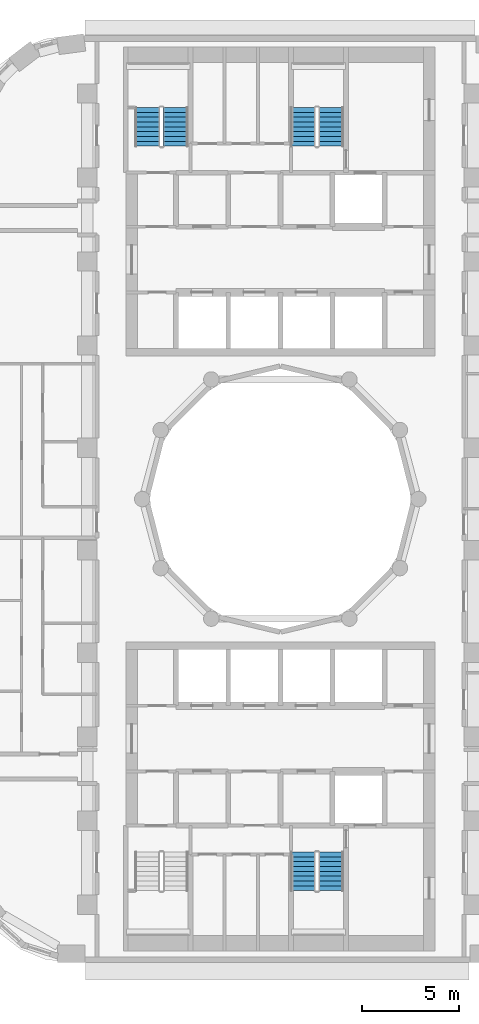
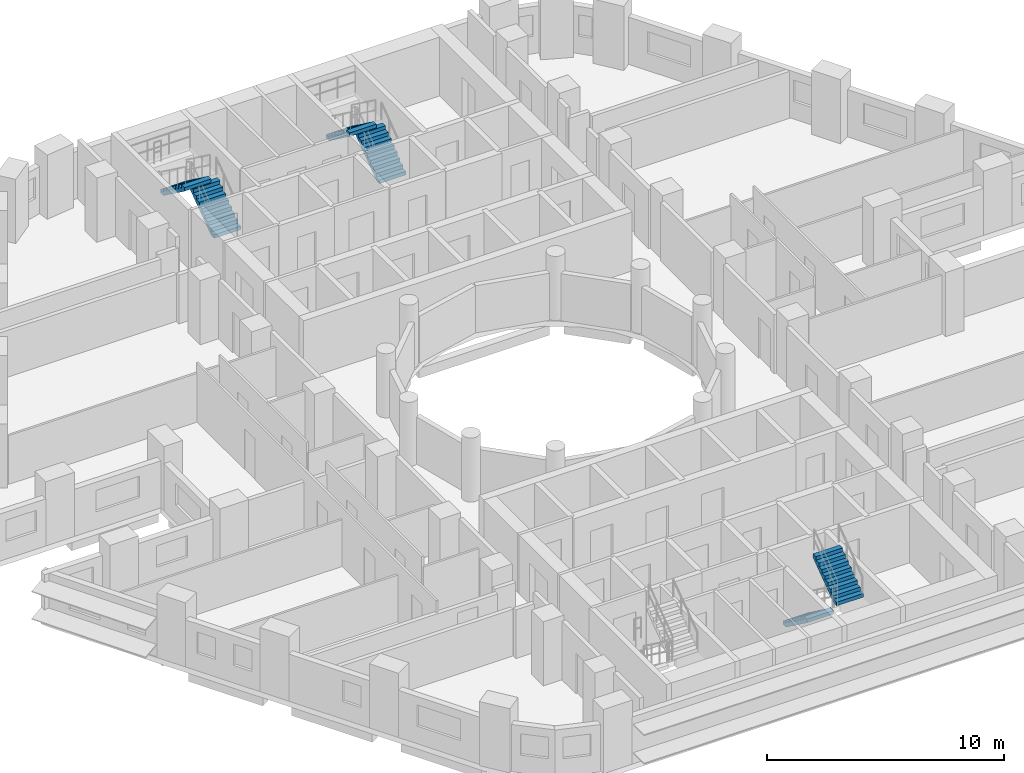
# One storey, part 9 of 12: 6 stair flights, 3 elements without a shape of their own.
"""IFC4 building model written with IfcOpenShell, lengths in metres."""

from ifc_helpers import new_model, si_unit, direction, frame, origin, place, context, subcontext, project, spatial, polyline, outline, extrude, material, type_object, element, aggregate, save


model = new_model("IFC4")

# Units and contexts
model_context = context("Model", 3, precision=1e-05, world=origin(), true_north=direction((0.0, 1.0)))
body_context = subcontext(model_context, "Body", "Model", "MODEL_VIEW")
ifc_project = project(units=[si_unit("LENGTHUNIT", "METRE"), si_unit("AREAUNIT", "SQUARE_METRE"), si_unit("VOLUMEUNIT", "CUBIC_METRE"), si_unit("PLANEANGLEUNIT", "RADIAN"), si_unit("MASSUNIT", "GRAM", prefix="KILO")], contexts=[model_context])

# Site, building, storey
site_placement = place(None, origin())
site = spatial("IfcSite", under=ifc_project, at=site_placement, CompositionType="ELEMENT")
building_placement = place(site_placement, origin())
building = spatial("IfcBuilding", under=site, at=building_placement, Name="Nakaniwa Court", CompositionType="ELEMENT")
storey_placement = place(building_placement, frame((0.0, 0.0, 100.800048828125)))
storey = spatial("IfcBuildingStorey", under=building, at=storey_placement, Name="L26", CompositionType="ELEMENT", Elevation=100.800048828125)

# Stair, stair flights
ifc_material = material(Name="Concrete C80/100", Category="concrete")
stair_type = type_object("IfcStairType", Name="Dog leg stair 1300 wide 18 risers", PredefinedType="HALF_TURN_STAIR", material=ifc_material)
stair_1_placement = place(storey_placement, origin())
stair_1 = element("IfcStair", 1, at=stair_1_placement, inside=storey, type_object=stair_type, Name="L26 Stair ST1", PredefinedType="HALF_TURN_STAIR")
stair_flight_type = type_object("IfcStairFlightType", Name="Stair flight 1300 wide 9 risers", PredefinedType="STRAIGHT", material=ifc_material)
stair_flight_1_placement = place(storey_placement, frame((74.574951171875, 98.27490234375, 0.0), z_axis=(0.0, 0.0, 1.0), x_axis=(0.0, 1.0, 0.0)))
stair_flight_1 = element("IfcStairFlight", 2, at=stair_flight_1_placement, type_object=stair_flight_type, Name="ST1 flight 1", NumberOfRisers=9, NumberOfTreads=8, PredefinedType="STRAIGHT", RiserHeight=0.183333333, TreadLength=0.25, context=body_context, shape_type="SweptSolid", body=[
    extrude(outline(polyline([(0.0, 0.0), (0.0, 0.026123046875), (0.0, 0.052490234375), (0.0, 0.07861328125), (0.0, 0.104736328125), (0.0, 0.130859375), (0.0, 0.1572265625), (0.0, 0.183349609375), (0.25, 0.183349609375), (0.25, 0.36669921875), (0.5, 0.36669921875), (0.5, 0.550048828125), (0.75, 0.550048828125), (0.75, 0.7333984375), (1.0, 0.7333984375), (1.0, 0.916748046875), (1.25, 0.916748046875), (1.25, 1.10009765625), (1.5, 1.10009765625), (1.5, 1.283447265625), (1.75, 1.283447265625), (1.75, 1.466552734375), (2.0, 1.466552734375), (2.0, 1.64990234375), (2.0, 1.59716796875), (2.0, 1.54443359375), (2.0, 1.49169921875), (2.0, 1.43896484375), (2.0, 1.38623046875), (2.0, 1.33349609375), (2.0, 1.28076171875), (0.25341796875, 0.0), (0.0, 0.0)])), frame((0.0, 0.64990234375, 0.0), z_axis=(0.0, -1.0, 0.0), x_axis=(1.0, 0.0, 0.0)), (0.0, 0.0, 1.0), 1.300048828125),
])
stair_flight_2_placement = place(storey_placement, frame((73.125, 100.27490234375, 1.64990234375), z_axis=(0.0, 0.0, 1.0), x_axis=(0.0, -1.0, 0.0)))
stair_flight_2 = element("IfcStairFlight", 3, at=stair_flight_2_placement, type_object=stair_flight_type, Name="ST1 flight 2", NumberOfRisers=9, NumberOfTreads=8, PredefinedType="STRAIGHT", RiserHeight=0.183333333, TreadLength=0.25, context=body_context, shape_type="SweptSolid", body=[
    extrude(outline(polyline([(0.0, 0.0), (0.0, 0.026123046875), (0.0, 0.052490234375), (0.0, 0.07861328125), (0.0, 0.104736328125), (0.0, 0.130859375), (0.0, 0.1572265625), (0.0, 0.183349609375), (0.25, 0.183349609375), (0.25, 0.36669921875), (0.5, 0.36669921875), (0.5, 0.550048828125), (0.75, 0.550048828125), (0.75, 0.7333984375), (1.0, 0.7333984375), (1.0, 0.916748046875), (1.25, 0.916748046875), (1.25, 1.10009765625), (1.5, 1.10009765625), (1.5, 1.283447265625), (1.75, 1.283447265625), (1.75, 1.466552734375), (2.0, 1.466552734375), (2.0, 1.64990234375), (2.0, 1.59716796875), (2.0, 1.54443359375), (2.0, 1.49169921875), (2.0, 1.43896484375), (2.0, 1.38623046875), (2.0, 1.33349609375), (2.0, 1.28076171875), (0.25341796875, 0.0), (0.0, 0.0)])), frame((0.0, 0.64990234375, 0.0), z_axis=(0.0, -1.0, 0.0), x_axis=(1.0, 0.0, 0.0)), (0.0, 0.0, 1.0), 1.300048828125),
])
aggregate(stair_1, [stair_flight_1, stair_flight_2])

stair_2_placement = place(storey_placement, origin())
stair_2 = element("IfcStair", 4, at=stair_2_placement, inside=storey, type_object=stair_type, Name="L26 Stair ST2", PredefinedType="HALF_TURN_STAIR")
stair_flight_3_placement = place(storey_placement, frame((82.625, 98.27490234375, 0.0), z_axis=(0.0, 0.0, 1.0), x_axis=(0.0, 1.0, 0.0)))
stair_flight_3 = element("IfcStairFlight", 5, at=stair_flight_3_placement, type_object=stair_flight_type, Name="ST2 flight 1", NumberOfRisers=9, NumberOfTreads=8, PredefinedType="STRAIGHT", RiserHeight=0.183333333, TreadLength=0.25, context=body_context, shape_type="SweptSolid", body=[
    extrude(outline(polyline([(0.0, 0.0), (0.0, 0.026123046875), (0.0, 0.052490234375), (0.0, 0.07861328125), (0.0, 0.104736328125), (0.0, 0.130859375), (0.0, 0.1572265625), (0.0, 0.183349609375), (0.25, 0.183349609375), (0.25, 0.36669921875), (0.5, 0.36669921875), (0.5, 0.550048828125), (0.75, 0.550048828125), (0.75, 0.7333984375), (1.0, 0.7333984375), (1.0, 0.916748046875), (1.25, 0.916748046875), (1.25, 1.10009765625), (1.5, 1.10009765625), (1.5, 1.283447265625), (1.75, 1.283447265625), (1.75, 1.466552734375), (2.0, 1.466552734375), (2.0, 1.64990234375), (2.0, 1.59716796875), (2.0, 1.54443359375), (2.0, 1.49169921875), (2.0, 1.43896484375), (2.0, 1.38623046875), (2.0, 1.33349609375), (2.0, 1.28076171875), (0.25341796875, 0.0), (0.0, 0.0)])), frame((0.0, 0.64990234375, 0.0), z_axis=(0.0, -1.0, 0.0), x_axis=(1.0, 0.0, 0.0)), (0.0, 0.0, 1.0), 1.300048828125),
])
stair_flight_4_placement = place(storey_placement, frame((81.175048828125, 100.27490234375, 1.64990234375), z_axis=(0.0, 0.0, 1.0), x_axis=(0.0, -1.0, 0.0)))
stair_flight_4 = element("IfcStairFlight", 6, at=stair_flight_4_placement, type_object=stair_flight_type, Name="ST2 flight 2", NumberOfRisers=9, NumberOfTreads=8, PredefinedType="STRAIGHT", RiserHeight=0.183333333, TreadLength=0.25, context=body_context, shape_type="SweptSolid", body=[
    extrude(outline(polyline([(0.0, 0.0), (0.0, 0.026123046875), (0.0, 0.052490234375), (0.0, 0.07861328125), (0.0, 0.104736328125), (0.0, 0.130859375), (0.0, 0.1572265625), (0.0, 0.183349609375), (0.25, 0.183349609375), (0.25, 0.36669921875), (0.5, 0.36669921875), (0.5, 0.550048828125), (0.75, 0.550048828125), (0.75, 0.7333984375), (1.0, 0.7333984375), (1.0, 0.916748046875), (1.25, 0.916748046875), (1.25, 1.10009765625), (1.5, 1.10009765625), (1.5, 1.283447265625), (1.75, 1.283447265625), (1.75, 1.466552734375), (2.0, 1.466552734375), (2.0, 1.64990234375), (2.0, 1.59716796875), (2.0, 1.54443359375), (2.0, 1.49169921875), (2.0, 1.43896484375), (2.0, 1.38623046875), (2.0, 1.33349609375), (2.0, 1.28076171875), (0.25341796875, 0.0), (0.0, 0.0)])), frame((0.0, 0.64990234375, 0.0), z_axis=(0.0, -1.0, 0.0), x_axis=(1.0, 0.0, 0.0)), (0.0, 0.0, 1.0), 1.300048828125),
])
aggregate(stair_2, [stair_flight_3, stair_flight_4])

stair_3_placement = place(storey_placement, origin())
stair_3 = element("IfcStair", 7, at=stair_3_placement, inside=storey, type_object=stair_type, Name="L26 Stair ST4", PredefinedType="HALF_TURN_STAIR")
stair_flight_5_placement = place(storey_placement, frame((81.175048828125, 61.72509765625, 0.0), z_axis=(0.0, 0.0, 1.0), x_axis=(0.0, -1.0, 0.0)))
stair_flight_5 = element("IfcStairFlight", 8, at=stair_flight_5_placement, type_object=stair_flight_type, Name="ST4 flight 1", NumberOfRisers=9, NumberOfTreads=8, PredefinedType="STRAIGHT", RiserHeight=0.183333333, TreadLength=0.25, context=body_context, shape_type="SweptSolid", body=[
    extrude(outline(polyline([(0.0, 0.0), (0.0, 0.026123046875), (0.0, 0.052490234375), (0.0, 0.07861328125), (0.0, 0.104736328125), (0.0, 0.130859375), (0.0, 0.1572265625), (0.0, 0.183349609375), (0.25, 0.183349609375), (0.25, 0.36669921875), (0.5, 0.36669921875), (0.5, 0.550048828125), (0.75, 0.550048828125), (0.75, 0.7333984375), (1.0, 0.7333984375), (1.0, 0.916748046875), (1.25, 0.916748046875), (1.25, 1.10009765625), (1.5, 1.10009765625), (1.5, 1.283447265625), (1.75, 1.283447265625), (1.75, 1.466552734375), (2.0, 1.466552734375), (2.0, 1.64990234375), (2.0, 1.59716796875), (2.0, 1.54443359375), (2.0, 1.49169921875), (2.0, 1.43896484375), (2.0, 1.38623046875), (2.0, 1.33349609375), (2.0, 1.28076171875), (0.25341796875, 0.0), (0.0, 0.0)])), frame((0.0, 0.64990234375, 0.0), z_axis=(0.0, -1.0, 0.0), x_axis=(1.0, 0.0, 0.0)), (0.0, 0.0, 1.0), 1.300048828125),
])
stair_flight_6_placement = place(storey_placement, frame((82.625, 59.72509765625, 1.64990234375), z_axis=(0.0, 0.0, 1.0), x_axis=(0.0, 1.0, 0.0)))
stair_flight_6 = element("IfcStairFlight", 9, at=stair_flight_6_placement, type_object=stair_flight_type, Name="ST4 flight 2", NumberOfRisers=9, NumberOfTreads=8, PredefinedType="STRAIGHT", RiserHeight=0.183333333, TreadLength=0.25, context=body_context, shape_type="SweptSolid", body=[
    extrude(outline(polyline([(0.0, 0.0), (0.0, 0.026123046875), (0.0, 0.052490234375), (0.0, 0.07861328125), (0.0, 0.104736328125), (0.0, 0.130859375), (0.0, 0.1572265625), (0.0, 0.183349609375), (0.25, 0.183349609375), (0.25, 0.36669921875), (0.5, 0.36669921875), (0.5, 0.550048828125), (0.75, 0.550048828125), (0.75, 0.7333984375), (1.0, 0.7333984375), (1.0, 0.916748046875), (1.25, 0.916748046875), (1.25, 1.10009765625), (1.5, 1.10009765625), (1.5, 1.283447265625), (1.75, 1.283447265625), (1.75, 1.466552734375), (2.0, 1.466552734375), (2.0, 1.64990234375), (2.0, 1.59716796875), (2.0, 1.54443359375), (2.0, 1.49169921875), (2.0, 1.43896484375), (2.0, 1.38623046875), (2.0, 1.33349609375), (2.0, 1.28076171875), (0.25341796875, 0.0), (0.0, 0.0)])), frame((0.0, 0.64990234375, 0.0), z_axis=(0.0, -1.0, 0.0), x_axis=(1.0, 0.0, 0.0)), (0.0, 0.0, 1.0), 1.300048828125),
])
aggregate(stair_3, [stair_flight_5, stair_flight_6])

save(model, "model.ifc")
